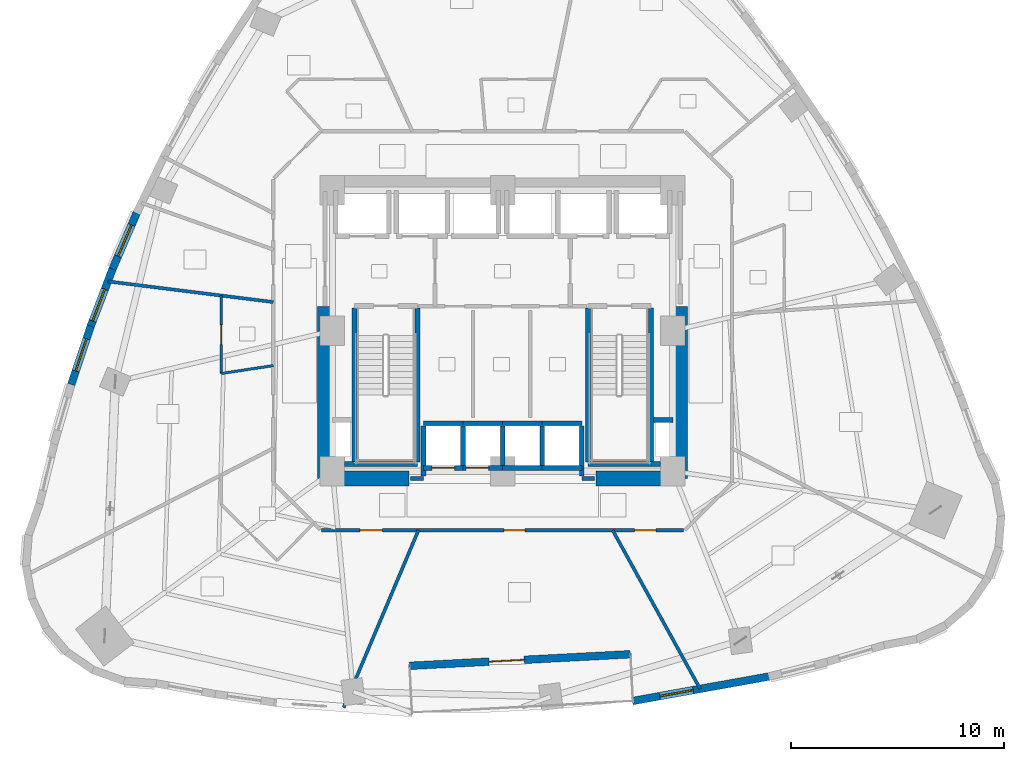
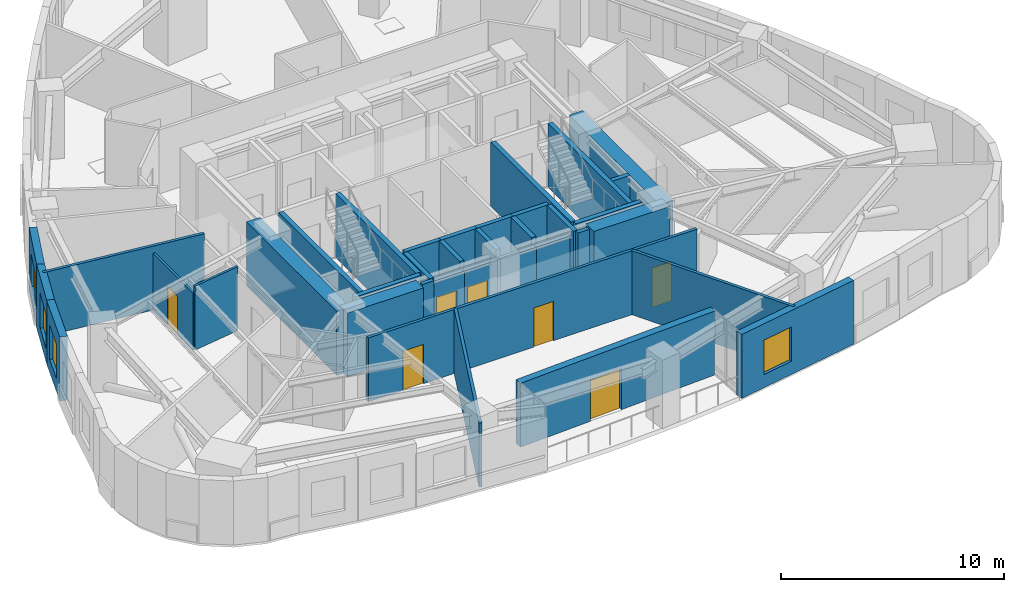
# One storey, part 5 of 11: 37 walls, 7 doors, 4 windows, 11 openings.
"""IFC4 building model written with IfcOpenShell, lengths in metres."""

from ifc_helpers import new_model, si_unit, direction, frame, frame_2d, origin, place, context, subcontext, project, spatial, rectangle, extrude, material, layer, layer_set, type_object, element, fill, save


model = new_model("IFC4")

# Units and contexts
model_context = context("Model", 3, precision=1e-05, world=origin(), true_north=direction((0.0, 1.0)))
body_context = subcontext(model_context, "Body", "Model", "MODEL_VIEW")
ifc_project = project(units=[si_unit("LENGTHUNIT", "METRE"), si_unit("AREAUNIT", "SQUARE_METRE"), si_unit("VOLUMEUNIT", "CUBIC_METRE"), si_unit("PLANEANGLEUNIT", "RADIAN"), si_unit("MASSUNIT", "GRAM", prefix="KILO")], contexts=[model_context])

# Site, building, storey
site_placement = place(None, origin())
site = spatial("IfcSite", under=ifc_project, at=site_placement, CompositionType="ELEMENT")
building_placement = place(site_placement, origin())
building = spatial("IfcBuilding", under=site, at=building_placement, Name="Ndelora Gate Hotel", CompositionType="ELEMENT")
storey_placement = place(building_placement, frame((0.0, 0.0, 49.25)))
storey = spatial("IfcBuildingStorey", under=building, at=storey_placement, Name="L11", CompositionType="ELEMENT", Elevation=49.25)

# Wall, opening, door
ifc_material_1 = material(Name="Clay Brick Masonry", Category="masonry")
ifc_layer_1 = layer(ifc_material_1, 0.360107421875)
ifc_layer_set_1 = layer_set([ifc_layer_1], Name="Clay Brick Masonry")
wall_type_1 = type_object("IfcWallType", Name="WL-BRICK-360", PredefinedType="SOLIDWALL", material=ifc_layer_set_1)
wall_1_placement = place(storey_placement, frame((6.004150390625, -15.20849609375, 0.0), z_axis=(0.0, 0.0, 1.0), x_axis=(-0.998630058509, -0.052325961458, 0.0)))
wall_1 = element("IfcWall", 1, at=wall_1_placement, inside=storey, type_object=wall_type_1, Name="L11 Sky-Garden Loggia Rear Brick Wall", PredefinedType="SOLIDWALL", context=body_context, shape_type="SweptSolid", body=[
    extrude(rectangle(XDim=10.39990234375, YDim=0.360107421875, at=frame_2d((5.199951171875, 0.0))), origin(), (0.0, 0.0, 1.0), 3.5),
])
opening_1_placement = place(wall_1_placement, frame((5.0, 0.0, 0.0)))
opening_1 = element("IfcOpeningElement", 2, at=opening_1_placement, cuts=wall_1, Name="Opening TD1", PredefinedType="OPENING", context=body_context, shape_type="SweptSolid", body=[
    extrude(rectangle(XDim=1.64990234375, YDim=2.25, at=frame_2d((0.824951171875, 1.125))), frame((0.0, 0.18994140625, 0.0), z_axis=(0.0, -1.0, 0.0), x_axis=(1.0, 0.0, 0.0)), (0.0, 0.0, 1.0), 0.380126953125),
])
ifc_material_2 = material(Name="Architectural Bronze Glazed Door", Category="metal")
door_type_1 = type_object("IfcDoorType", Name="DR-TER-1650", OperationType="DOUBLE_DOOR_SINGLE_SWING", PredefinedType="DOOR", material=ifc_material_2)
door_1_placement = place(opening_1_placement, origin())
door_1 = element("IfcDoor", 3, at=door_1_placement, inside=storey, type_object=door_type_1, Name="L11 Sky-Garden Terrace Double Door TD1", OperationType="DOUBLE_DOOR_SINGLE_SWING", OverallHeight=2.25, OverallWidth=1.64990234375, PredefinedType="DOOR", context=body_context, shape_type="SweptSolid", body=[
    extrude(rectangle(XDim=1.64990234375, YDim=2.25, at=frame_2d((0.824951171875, 1.125))), frame((0.0, 0.02490234375, 0.0), z_axis=(0.0, -1.0, 0.0), x_axis=(1.0, 0.0, 0.0)), (0.0, 0.0, 1.0), 0.050048828125),
])
fill(opening_1, door_1)

# Wall, opening, window
wall_2_placement = place(storey_placement, frame((-18.340576171875, 2.8994140625, 0.0), z_axis=(0.0, 0.0, 1.0), x_axis=(0.396050960204, 0.918228531969, 0.0)))
wall_2 = element("IfcWall", 4, at=wall_2_placement, inside=storey, type_object=wall_type_1, Name="L11 Tower Brick Pier-and-Spandrel Wall TWR-16", PredefinedType="SOLIDWALL", context=body_context, shape_type="SweptSolid", body=[
    extrude(rectangle(XDim=2.9150390625, YDim=0.360107421875, at=frame_2d((1.45751953125, 0.0))), origin(), (0.0, 0.0, 1.0), 3.5),
])
opening_2_placement = place(wall_2_placement, frame((0.657470703125, 0.0, 0.719970703125)))
opening_2 = element("IfcOpeningElement", 5, at=opening_2_placement, cuts=wall_2, Name="Opening W01", PredefinedType="OPENING", context=body_context, shape_type="SweptSolid", body=[
    extrude(rectangle(XDim=1.60009765625, YDim=1.8798828125, at=frame_2d((0.800048828125, 0.93994140625))), frame((0.0, 0.18994140625, 0.0), z_axis=(0.0, -1.0, 0.0), x_axis=(1.0, 0.0, 0.0)), (0.0, 0.0, 1.0), 0.380126953125),
])
ifc_material_3 = material(Name="Insulated Low-E Double Glazing in Bronze Aluminium Frame", Category="aluminium")
window_type_1 = type_object("IfcWindowType", Name="WN-DEEP-1600", PartitioningType="SINGLE_PANEL", PredefinedType="WINDOW", material=ifc_material_3)
window_1_placement = place(opening_2_placement, origin())
window_1 = element("IfcWindow", 6, at=window_1_placement, inside=storey, type_object=window_type_1, Name="L11 Deep-Set Brick-Pier Window W01", OverallHeight=1.8798828125, OverallWidth=1.60009765625, PartitioningType="SINGLE_PANEL", PredefinedType="WINDOW", context=body_context, shape_type="SweptSolid", body=[
    extrude(rectangle(XDim=1.60009765625, YDim=1.8798828125, at=frame_2d((0.800048828125, 0.93994140625))), frame((0.0, 0.030029296875, 0.0), z_axis=(0.0, -1.0, 0.0), x_axis=(1.0, 0.0, 0.0)), (0.0, 0.0, 1.0), 0.06005859375),
])
fill(opening_2, window_1)

wall_3_placement = place(storey_placement, frame((-19.365234375, 0.212890625, 0.0), z_axis=(0.0, 0.0, 1.0), x_axis=(0.356696268282, 0.934220408787, 0.0)))
wall_3 = element("IfcWall", 7, at=wall_3_placement, inside=storey, type_object=wall_type_1, Name="L11 Tower Brick Pier-and-Spandrel Wall TWR-17", PredefinedType="SOLIDWALL", context=body_context, shape_type="SweptSolid", body=[
    extrude(rectangle(XDim=2.92529296875, YDim=0.360107421875, at=frame_2d((1.462646484375, 0.0))), origin(), (0.0, 0.0, 1.0), 3.5),
])
opening_3_placement = place(wall_3_placement, frame((0.260009765625, 0.0, 0.719970703125)))
opening_3 = element("IfcOpeningElement", 8, at=opening_3_placement, cuts=wall_3, Name="Opening W03", PredefinedType="OPENING", context=body_context, shape_type="SweptSolid", body=[
    extrude(rectangle(XDim=1.60009765625, YDim=1.8798828125, at=frame_2d((0.800048828125, 0.93994140625))), frame((0.0, 0.18994140625, 0.0), z_axis=(0.0, -1.0, 0.0), x_axis=(1.0, 0.0, 0.0)), (0.0, 0.0, 1.0), 0.380126953125),
])
window_type_2 = type_object("IfcWindowType", Name="WN-CORN-2100", PartitioningType="SINGLE_PANEL", PredefinedType="WINDOW", material=ifc_material_3)
window_2_placement = place(opening_3_placement, origin())
window_2 = element("IfcWindow", 9, at=window_2_placement, inside=storey, type_object=window_type_2, Name="L11 Deep-Set Brick-Pier Window W03", OverallHeight=1.8798828125, OverallWidth=1.60009765625, PartitioningType="SINGLE_PANEL", PredefinedType="WINDOW", context=body_context, shape_type="SweptSolid", body=[
    extrude(rectangle(XDim=1.60009765625, YDim=1.8798828125, at=frame_2d((0.800048828125, 0.93994140625))), frame((0.0, 0.030029296875, 0.0), z_axis=(0.0, -1.0, 0.0), x_axis=(1.0, 0.0, 0.0)), (0.0, 0.0, 1.0), 0.06005859375),
])
fill(opening_3, window_2)

wall_4_placement = place(storey_placement, frame((-20.281005859375, -2.529052734375, 0.0), z_axis=(0.0, 0.0, 1.0), x_axis=(0.317124206319, 0.948384013871, 0.0)))
wall_4 = element("IfcWall", 10, at=wall_4_placement, inside=storey, type_object=wall_type_1, Name="L11 Tower Brick Pier-and-Spandrel Wall TWR-18", PredefinedType="SOLIDWALL", context=body_context, shape_type="SweptSolid", body=[
    extrude(rectangle(XDim=2.94091796875, YDim=0.360107421875, at=frame_2d((1.470458984375, 0.0))), origin(), (0.0, 0.0, 1.0), 3.5),
])
opening_4_placement = place(wall_4_placement, frame((0.67041015625, 0.0, 0.719970703125)))
opening_4 = element("IfcOpeningElement", 11, at=opening_4_placement, cuts=wall_4, Name="Opening W01", PredefinedType="OPENING", context=body_context, shape_type="SweptSolid", body=[
    extrude(rectangle(XDim=1.60009765625, YDim=1.8798828125, at=frame_2d((0.800048828125, 0.93994140625))), frame((0.0, 0.18994140625, 0.0), z_axis=(0.0, -1.0, 0.0), x_axis=(1.0, 0.0, 0.0)), (0.0, 0.0, 1.0), 0.380126953125),
])
window_3_placement = place(opening_4_placement, origin())
window_3 = element("IfcWindow", 12, at=window_3_placement, inside=storey, type_object=window_type_1, Name="L11 Deep-Set Brick-Pier Window W01", OverallHeight=1.8798828125, OverallWidth=1.60009765625, PartitioningType="SINGLE_PANEL", PredefinedType="WINDOW", context=body_context, shape_type="SweptSolid", body=[
    extrude(rectangle(XDim=1.60009765625, YDim=1.8798828125, at=frame_2d((0.800048828125, 0.93994140625))), frame((0.0, 0.030029296875, 0.0), z_axis=(0.0, -1.0, 0.0), x_axis=(1.0, 0.0, 0.0)), (0.0, 0.0, 1.0), 0.06005859375),
])
fill(opening_4, window_3)

wall_5_placement = place(storey_placement, frame((12.55712890625, -16.24853515625, 0.0), z_axis=(0.0, 0.0, 1.0), x_axis=(-0.984232555833, -0.176879269667, 0.0)))
wall_5 = element("IfcWall", 13, at=wall_5_placement, inside=storey, type_object=wall_type_1, Name="L11 Tower Brick Pier-and-Spandrel Wall TWR-36", PredefinedType="SOLIDWALL", context=body_context, shape_type="SweptSolid", body=[
    extrude(rectangle(XDim=6.56591796875, YDim=0.360107421875, at=frame_2d((3.282958984375, 0.0))), origin(), (0.0, 0.0, 1.0), 3.5),
])
opening_5_placement = place(wall_5_placement, frame((3.659912109375, 0.0, 0.719970703125)))
opening_5 = element("IfcOpeningElement", 14, at=opening_5_placement, cuts=wall_5, Name="Opening W01", PredefinedType="OPENING", context=body_context, shape_type="SweptSolid", body=[
    extrude(rectangle(XDim=1.60009765625, YDim=1.8798828125, at=frame_2d((0.800048828125, 0.93994140625))), frame((0.0, 0.18994140625, 0.0), z_axis=(0.0, -1.0, 0.0), x_axis=(1.0, 0.0, 0.0)), (0.0, 0.0, 1.0), 0.380126953125),
])
window_4_placement = place(opening_5_placement, origin())
window_4 = element("IfcWindow", 15, at=window_4_placement, inside=storey, type_object=window_type_1, Name="L11 Deep-Set Brick-Pier Window W01", OverallHeight=1.8798828125, OverallWidth=1.60009765625, PartitioningType="SINGLE_PANEL", PredefinedType="WINDOW", context=body_context, shape_type="SweptSolid", body=[
    extrude(rectangle(XDim=1.60009765625, YDim=1.8798828125, at=frame_2d((0.800048828125, 0.93994140625))), frame((0.0, 0.030029296875, 0.0), z_axis=(0.0, -1.0, 0.0), x_axis=(1.0, 0.0, 0.0)), (0.0, 0.0, 1.0), 0.06005859375),
])
fill(opening_5, window_4)

# Walls
ifc_material_4 = material(Name="Concrete C60/75", Category="concrete")
ifc_layer_2 = layer(ifc_material_4, 0.699951171875)
ifc_layer_set_2 = layer_set([ifc_layer_2], Name="Concrete C60/75")
wall_type_2 = type_object("IfcWallType", Name="WL-CORE-700", PredefinedType="SHEAR", material=ifc_layer_set_2)
for number, where, z_axis, x_axis, name in (
    (16, (-8.35009765625, -6.949951171875, 0.0), (0.0, 0.0, 1.0), (1.0, 0.0, 0.0), "L11 Core Shear Wall S-W"),
    (17, (4.39990234375, -6.949951171875, 0.0), (0.0, 0.0, 1.0), (1.0, 0.0, 0.0), "L11 Core Shear Wall S-E"),
):
    element("IfcWall", number, at=place(storey_placement, frame(where, z_axis=z_axis, x_axis=x_axis)), inside=storey, type_object=wall_type_2, Name=name, PredefinedType="SHEAR", context=body_context, shape_type="SweptSolid", body=[
        extrude(rectangle(XDim=3.9501953125, YDim=0.699951171875, at=frame_2d((1.97509765625, 0.0))), origin(), (0.0, 0.0, 1.0), 3.5),
    ])
for number, where, z_axis, x_axis, name in (
    (18, (-8.35009765625, -6.949951171875, 0.0), (0.0, 0.0, 1.0), (0.0, 1.0, 0.0), "L11 Core Shear Wall W"),
    (19, (8.35009765625, -6.949951171875, 0.0), (0.0, 0.0, 1.0), (0.0, 1.0, 0.0), "L11 Core Shear Wall E"),
):
    element("IfcWall", number, at=place(storey_placement, frame(where, z_axis=z_axis, x_axis=x_axis)), inside=storey, type_object=wall_type_2, Name=name, PredefinedType="SHEAR", context=body_context, shape_type="SweptSolid", body=[
        extrude(rectangle(XDim=8.099853515625, YDim=0.699951171875, at=frame_2d((4.0498046875, 0.0))), origin(), (0.0, 0.0, 1.0), 3.5),
    ])
ifc_material_5 = material(Name="Concrete C40/50", Category="concrete")
ifc_layer_3 = layer(ifc_material_5, 0.199951171875)
ifc_layer_set_3 = layer_set([ifc_layer_3], Name="Concrete C40/50")
wall_type_3 = type_object("IfcWallType", Name="WL-FIRE-200", PredefinedType="PARTITIONING", material=ifc_layer_set_3)
for number, where, z_axis, x_axis, name in (
    (20, (-4.320068359375, -6.949951171875, 0.0), (0.0, 0.0, 1.0), (1.0, 0.0, 0.0), "L11 Interior Wall IW-2"),
    (21, (3.719970703125, -6.949951171875, 0.0), (0.0, 0.0, 1.0), (1.0, 0.0, 0.0), "L11 Interior Wall IW-2"),
):
    element("IfcWall", number, at=place(storey_placement, frame(where, z_axis=z_axis, x_axis=x_axis)), inside=storey, type_object=wall_type_3, Name=name, PredefinedType="PARTITIONING", context=body_context, shape_type="SweptSolid", body=[
        extrude(rectangle(XDim=0.60009765625, YDim=0.199951171875, at=frame_2d((0.300048828125, 0.0))), origin(), (0.0, 0.0, 1.0), 3.5),
    ])

# Wall, openings, doors
ifc_material_6 = material(Name="Fire-Rated Gypsum Stud Partition", Category="gypsum")
ifc_layer_4 = layer(ifc_material_6, 0.14990234375)
ifc_layer_set_4 = layer_set([ifc_layer_4], Name="Fire-Rated Gypsum Stud Partition")
wall_type_4 = type_object("IfcWallType", Name="WL-PART-150", PredefinedType="PARTITIONING", material=ifc_layer_set_4)
wall_6_placement = place(storey_placement, frame((8.510009765625, -9.3798828125, 0.0), z_axis=(0.0, 0.0, 1.0), x_axis=(-1.0, 0.0, 0.0)))
wall_6 = element("IfcWall", 22, at=wall_6_placement, inside=storey, type_object=wall_type_4, Name="L11 Interior Wall IW-5", PredefinedType="PARTITIONING", context=body_context, shape_type="SweptSolid", body=[
    extrude(rectangle(XDim=17.02001953125, YDim=0.14990234375, at=frame_2d((8.510009765625, 0.0))), origin(), (0.0, 0.0, 1.0), 3.5),
])
opening_6_placement = place(wall_6_placement, frame((7.44775390625, 0.0, 0.0)))
opening_6 = element("IfcOpeningElement", 23, at=opening_6_placement, cuts=wall_6, Name="Opening D01", PredefinedType="OPENING", context=body_context, shape_type="SweptSolid", body=[
    extrude(rectangle(XDim=1.0, YDim=2.14990234375, at=frame_2d((0.5, 1.074951171875))), frame((0.0, 0.0849609375, 0.0), z_axis=(0.0, -1.0, 0.0), x_axis=(1.0, 0.0, 0.0)), (0.0, 0.0, 1.0), 0.169921875),
])
opening_7_placement = place(wall_6_placement, frame((1.30859375, 0.0, 0.0)))
opening_7 = element("IfcOpeningElement", 24, at=opening_7_placement, cuts=wall_6, Name="Opening D01", PredefinedType="OPENING", context=body_context, shape_type="SweptSolid", body=[
    extrude(rectangle(XDim=1.0, YDim=2.14990234375, at=frame_2d((0.5, 1.074951171875))), frame((0.0, 0.0849609375, 0.0), z_axis=(0.0, -1.0, 0.0), x_axis=(1.0, 0.0, 0.0)), (0.0, 0.0, 1.0), 0.169921875),
])
opening_8_placement = place(wall_6_placement, frame((14.163818359375, 0.0, 0.0)))
opening_8 = element("IfcOpeningElement", 25, at=opening_8_placement, cuts=wall_6, Name="Opening D07", PredefinedType="OPENING", context=body_context, shape_type="SweptSolid", body=[
    extrude(rectangle(XDim=1.06005859375, YDim=2.14990234375, at=frame_2d((0.530029296875, 1.074951171875))), frame((0.0, 0.0849609375, 0.0), z_axis=(0.0, -1.0, 0.0), x_axis=(1.0, 0.0, 0.0)), (0.0, 0.0, 1.0), 0.169921875),
])
ifc_material_7 = material(Name="Acoustic Hardwood Guest Entrance Door", Category="wood")
door_type_2 = type_object("IfcDoorType", Name="DR-COR-1000", OperationType="SINGLE_SWING_LEFT", PredefinedType="DOOR", material=ifc_material_7)
door_2_placement = place(opening_6_placement, origin())
door_2 = element("IfcDoor", 26, at=door_2_placement, inside=storey, type_object=door_type_2, Name="L11 Sky Garden Tea Dining Room Entrance Door", OperationType="SINGLE_SWING_LEFT", OverallHeight=2.14990234375, OverallWidth=1.0, PredefinedType="DOOR", context=body_context, shape_type="SweptSolid", body=[
    extrude(rectangle(XDim=1.0, YDim=2.14990234375, at=frame_2d((0.5, 1.074951171875))), frame((0.0, 0.02490234375, 0.0), z_axis=(0.0, -1.0, 0.0), x_axis=(1.0, 0.0, 0.0)), (0.0, 0.0, 1.0), 0.050048828125),
])
fill(opening_6, door_2)
door_3_placement = place(opening_7_placement, origin())
door_3 = element("IfcDoor", 27, at=door_3_placement, inside=storey, type_object=door_type_2, Name="L11 Business Study Office Entrance Door", OperationType="SINGLE_SWING_LEFT", OverallHeight=2.14990234375, OverallWidth=1.0, PredefinedType="DOOR", context=body_context, shape_type="SweptSolid", body=[
    extrude(rectangle(XDim=1.0, YDim=2.14990234375, at=frame_2d((0.5, 1.074951171875))), frame((0.0, 0.02490234375, 0.0), z_axis=(0.0, -1.0, 0.0), x_axis=(1.0, 0.0, 0.0)), (0.0, 0.0, 1.0), 0.050048828125),
])
fill(opening_7, door_3)
ifc_material_8 = material(Name="Diplomatic Suite Acoustic Entrance Door", Category="wood")
door_type_3 = type_object("IfcDoorType", Name="DR-SUITE-1060", OperationType="SINGLE_SWING_LEFT", PredefinedType="DOOR", material=ifc_material_8)
door_4_placement = place(opening_8_placement, origin())
door_4 = element("IfcDoor", 28, at=door_4_placement, inside=storey, type_object=door_type_3, Name="L11 Corner Diplomatic Suite 1402 Entrance Door", OperationType="SINGLE_SWING_LEFT", OverallHeight=2.14990234375, OverallWidth=1.06005859375, PredefinedType="DOOR", context=body_context, shape_type="SweptSolid", body=[
    extrude(rectangle(XDim=1.06005859375, YDim=2.14990234375, at=frame_2d((0.530029296875, 1.074951171875))), frame((0.0, 0.02490234375, 0.0), z_axis=(0.0, -1.0, 0.0), x_axis=(1.0, 0.0, 0.0)), (0.0, 0.0, 1.0), 0.050048828125),
])
fill(opening_8, door_4)

# Walls
wall_7_placement = place(storey_placement, frame((-10.780029296875, 1.347412109375, 0.0), z_axis=(0.0, 0.0, 1.0), x_axis=(-0.992276439596, 0.124046230988, 0.0)))
element("IfcWall", 29, at=wall_7_placement, inside=storey, type_object=wall_type_4, Name="L11 Interior Wall IW-5", PredefinedType="PARTITIONING", context=body_context, shape_type="SweptSolid", body=[
    extrude(rectangle(XDim=7.841064453125, YDim=0.14990234375, at=frame_2d((3.92041015625, 0.0))), origin(), (0.0, 0.0, 1.0), 3.5),
])
wall_8_placement = place(storey_placement, frame((-3.95751953125, -9.3798828125, 0.0), z_axis=(0.0, 0.0, 1.0), x_axis=(-0.388727710855, -0.921352683185, 0.0)))
element("IfcWall", 30, at=wall_8_placement, inside=storey, type_object=wall_type_4, Name="L11 Interior Wall IW-5", PredefinedType="PARTITIONING", context=body_context, shape_type="SweptSolid", body=[
    extrude(rectangle(XDim=9.04638671875, YDim=0.14990234375, at=frame_2d((4.523193359375, 0.0))), origin(), (0.0, 0.0, 1.0), 3.5),
])
wall_9_placement = place(storey_placement, frame((5.172607421875, -9.3798828125, 0.0), z_axis=(0.0, 0.0, 1.0), x_axis=(0.482894673272, -0.875678442424, 0.0)))
element("IfcWall", 31, at=wall_9_placement, inside=storey, type_object=wall_type_4, Name="L11 Interior Wall IW-5", PredefinedType="PARTITIONING", context=body_context, shape_type="SweptSolid", body=[
    extrude(rectangle(XDim=8.515380859375, YDim=0.14990234375, at=frame_2d((4.2578125, 0.0))), origin(), (0.0, 0.0, 1.0), 3.5),
])
ifc_layer_5 = layer(ifc_material_5, 0.219970703125)
ifc_layer_set_5 = layer_set([ifc_layer_5], Name="Concrete C40/50")
wall_type_5 = type_object("IfcWallType", Name="WL-SHAFT-220", PredefinedType="PARTITIONING", material=ifc_layer_set_5)
wall_10_placement = place(storey_placement, frame((7.090087890625, -4.199951171875, 0.0), z_axis=(0.0, 0.0, 1.0), x_axis=(1.0, 0.0, 0.0)))
element("IfcWall", 32, at=wall_10_placement, inside=storey, type_object=wall_type_5, Name="L11 Interior Wall IW-1", PredefinedType="PARTITIONING", context=body_context, shape_type="SweptSolid", body=[
    extrude(rectangle(XDim=0.909912109375, YDim=0.219970703125, at=frame_2d((0.455078125, 0.0))), origin(), (0.0, 0.0, 1.0), 3.5),
])

# Wall, opening, door
wall_11_placement = place(storey_placement, frame((-3.719970703125, -6.449951171875, 0.0), z_axis=(0.0, 0.0, 1.0), x_axis=(1.0, 0.0, 0.0)))
wall_11 = element("IfcWall", 33, at=wall_11_placement, inside=storey, type_object=wall_type_5, Name="L11 Interior Wall IW-1", PredefinedType="PARTITIONING", context=body_context, shape_type="SweptSolid", body=[
    extrude(rectangle(XDim=1.85986328125, YDim=0.219970703125, at=frame_2d((0.929931640625, 0.0))), origin(), (0.0, 0.0, 1.0), 3.080078125),
])
opening_9_placement = place(wall_11_placement, frame((0.39990234375, 0.0, 0.0)))
opening_9 = element("IfcOpeningElement", 34, at=opening_9_placement, cuts=wall_11, Name="Opening LD1", PredefinedType="OPENING", context=body_context, shape_type="SweptSolid", body=[
    extrude(rectangle(XDim=1.06005859375, YDim=2.14990234375, at=frame_2d((0.530029296875, 1.074951171875))), frame((0.0, 0.1201171875, 0.0), z_axis=(0.0, -1.0, 0.0), x_axis=(1.0, 0.0, 0.0)), (0.0, 0.0, 1.0), 0.239990234375),
])
ifc_material_9 = material(Name="Brushed Bronze Stainless Lift Landing Door", Category="metal")
door_type_4 = type_object("IfcDoorType", Name="DR-LD1", OperationType="DOUBLE_DOOR_SLIDING", PredefinedType="DOOR", material=ifc_material_9)
door_5_placement = place(opening_9_placement, origin())
door_5 = element("IfcDoor", 35, at=door_5_placement, inside=storey, type_object=door_type_4, Name="L11 Lift Landing Sliding Door P1A", OperationType="DOUBLE_DOOR_SLIDING", OverallHeight=2.14990234375, OverallWidth=1.06005859375, PredefinedType="DOOR", context=body_context, shape_type="SweptSolid", body=[
    extrude(rectangle(XDim=1.06005859375, YDim=2.14990234375, at=frame_2d((0.530029296875, 1.074951171875))), frame((0.0, 0.02490234375, 0.0), z_axis=(0.0, -1.0, 0.0), x_axis=(1.0, 0.0, 0.0)), (0.0, 0.0, 1.0), 0.050048828125),
])
fill(opening_9, door_5)

# Walls
wall_12_placement = place(storey_placement, frame((-3.719970703125, -4.35009765625, 0.0), z_axis=(0.0, 0.0, 1.0), x_axis=(1.0, 0.0, 0.0)))
element("IfcWall", 36, at=wall_12_placement, inside=storey, type_object=wall_type_5, Name="L11 Interior Wall IW-1", PredefinedType="PARTITIONING", context=body_context, shape_type="SweptSolid", body=[
    extrude(rectangle(XDim=1.85986328125, YDim=0.219970703125, at=frame_2d((0.929931640625, 0.0))), origin(), (0.0, 0.0, 1.0), 3.5),
])
wall_13_placement = place(storey_placement, frame((-3.719970703125, -6.830078125, 0.0), z_axis=(0.0, 0.0, 1.0), x_axis=(0.0, 1.0, 0.0)))
element("IfcWall", 37, at=wall_13_placement, inside=storey, type_object=wall_type_5, Name="L11 Interior Wall IW-1", PredefinedType="PARTITIONING", context=body_context, shape_type="SweptSolid", body=[
    extrude(rectangle(XDim=2.360107421875, YDim=0.219970703125, at=frame_2d((1.18017578125, 0.0))), origin(), (0.0, 0.0, 1.0), 3.5),
])
wall_14_placement = place(storey_placement, frame((-1.860107421875, -6.330078125, 0.0), z_axis=(0.0, 0.0, 1.0), x_axis=(0.0, 1.0, 0.0)))
element("IfcWall", 38, at=wall_14_placement, inside=storey, type_object=wall_type_5, Name="L11 Interior Wall IW-1", PredefinedType="PARTITIONING", context=body_context, shape_type="SweptSolid", body=[
    extrude(rectangle(XDim=1.860107421875, YDim=0.219970703125, at=frame_2d((0.93017578125, 0.0))), origin(), (0.0, 0.0, 1.0), 3.5),
])

# Wall, opening, door
wall_15_placement = place(storey_placement, frame((-1.860107421875, -6.449951171875, 0.0), z_axis=(0.0, 0.0, 1.0), x_axis=(1.0, 0.0, 0.0)))
wall_15 = element("IfcWall", 39, at=wall_15_placement, inside=storey, type_object=wall_type_5, Name="L11 Interior Wall IW-1", PredefinedType="PARTITIONING", context=body_context, shape_type="SweptSolid", body=[
    extrude(rectangle(XDim=1.860107421875, YDim=0.219970703125, at=frame_2d((0.93017578125, 0.0))), origin(), (0.0, 0.0, 1.0), 3.080078125),
])
opening_10_placement = place(wall_15_placement, frame((0.139892578125, 0.0, 0.0)))
opening_10 = element("IfcOpeningElement", 40, at=opening_10_placement, cuts=wall_15, Name="Opening LD1", PredefinedType="OPENING", context=body_context, shape_type="SweptSolid", body=[
    extrude(rectangle(XDim=1.06005859375, YDim=2.14990234375, at=frame_2d((0.530029296875, 1.074951171875))), frame((0.0, 0.1201171875, 0.0), z_axis=(0.0, -1.0, 0.0), x_axis=(1.0, 0.0, 0.0)), (0.0, 0.0, 1.0), 0.239990234375),
])
door_6_placement = place(opening_10_placement, origin())
door_6 = element("IfcDoor", 41, at=door_6_placement, inside=storey, type_object=door_type_4, Name="L11 Lift Landing Sliding Door P1B", OperationType="DOUBLE_DOOR_SLIDING", OverallHeight=2.14990234375, OverallWidth=1.06005859375, PredefinedType="DOOR", context=body_context, shape_type="SweptSolid", body=[
    extrude(rectangle(XDim=1.06005859375, YDim=2.14990234375, at=frame_2d((0.530029296875, 1.074951171875))), frame((0.0, 0.02490234375, 0.0), z_axis=(0.0, -1.0, 0.0), x_axis=(1.0, 0.0, 0.0)), (0.0, 0.0, 1.0), 0.050048828125),
])
fill(opening_10, door_6)

# Walls
for number, where, z_axis, x_axis, name in (
    (42, (-1.860107421875, -4.35009765625, 0.0), (0.0, 0.0, 1.0), (1.0, 0.0, 0.0), "L11 Interior Wall IW-1"),
    (43, (0.0, -6.330078125, 0.0), (0.0, 0.0, 1.0), (0.0, 1.0, 0.0), "L11 Interior Wall IW-1"),
):
    element("IfcWall", number, at=place(storey_placement, frame(where, z_axis=z_axis, x_axis=x_axis)), inside=storey, type_object=wall_type_5, Name=name, PredefinedType="PARTITIONING", context=body_context, shape_type="SweptSolid", body=[
        extrude(rectangle(XDim=1.860107421875, YDim=0.219970703125, at=frame_2d((0.93017578125, 0.0))), origin(), (0.0, 0.0, 1.0), 3.5),
    ])
wall_16_placement = place(storey_placement, frame((0.0, -6.449951171875, 0.0), z_axis=(0.0, 0.0, 1.0), x_axis=(1.0, 0.0, 0.0)))
element("IfcWall", 44, at=wall_16_placement, inside=storey, type_object=wall_type_5, Name="L11 Interior Wall IW-1", PredefinedType="PARTITIONING", context=body_context, shape_type="SweptSolid", body=[
    extrude(rectangle(XDim=1.860107421875, YDim=0.219970703125, at=frame_2d((0.93017578125, 0.0))), origin(), (0.0, 0.0, 1.0), 3.080078125),
])
for number, where, z_axis, x_axis, name in (
    (45, (0.0, -4.35009765625, 0.0), (0.0, 0.0, 1.0), (1.0, 0.0, 0.0), "L11 Interior Wall IW-1"),
    (46, (1.860107421875, -6.330078125, 0.0), (0.0, 0.0, 1.0), (0.0, 1.0, 0.0), "L11 Interior Wall IW-1"),
):
    element("IfcWall", number, at=place(storey_placement, frame(where, z_axis=z_axis, x_axis=x_axis)), inside=storey, type_object=wall_type_5, Name=name, PredefinedType="PARTITIONING", context=body_context, shape_type="SweptSolid", body=[
        extrude(rectangle(XDim=1.860107421875, YDim=0.219970703125, at=frame_2d((0.93017578125, 0.0))), origin(), (0.0, 0.0, 1.0), 3.5),
    ])
wall_17_placement = place(storey_placement, frame((1.860107421875, -6.449951171875, 0.0), z_axis=(0.0, 0.0, 1.0), x_axis=(1.0, 0.0, 0.0)))
element("IfcWall", 47, at=wall_17_placement, inside=storey, type_object=wall_type_5, Name="L11 Interior Wall IW-1", PredefinedType="PARTITIONING", context=body_context, shape_type="SweptSolid", body=[
    extrude(rectangle(XDim=1.85986328125, YDim=0.219970703125, at=frame_2d((0.929931640625, 0.0))), origin(), (0.0, 0.0, 1.0), 3.080078125),
])
wall_18_placement = place(storey_placement, frame((1.860107421875, -4.35009765625, 0.0), z_axis=(0.0, 0.0, 1.0), x_axis=(1.0, 0.0, 0.0)))
element("IfcWall", 48, at=wall_18_placement, inside=storey, type_object=wall_type_5, Name="L11 Interior Wall IW-1", PredefinedType="PARTITIONING", context=body_context, shape_type="SweptSolid", body=[
    extrude(rectangle(XDim=1.85986328125, YDim=0.219970703125, at=frame_2d((0.929931640625, 0.0))), origin(), (0.0, 0.0, 1.0), 3.5),
])
wall_19_placement = place(storey_placement, frame((3.719970703125, -6.830078125, 0.0), z_axis=(0.0, 0.0, 1.0), x_axis=(0.0, 1.0, 0.0)))
element("IfcWall", 49, at=wall_19_placement, inside=storey, type_object=wall_type_5, Name="L11 Interior Wall IW-1", PredefinedType="PARTITIONING", context=body_context, shape_type="SweptSolid", body=[
    extrude(rectangle(XDim=2.360107421875, YDim=0.219970703125, at=frame_2d((1.18017578125, 0.0))), origin(), (0.0, 0.0, 1.0), 3.5),
])
ifc_material_10 = material(Name="Concrete C50/60", Category="concrete")
ifc_layer_6 = layer(ifc_material_10, 0.239990234375)
ifc_layer_set_6 = layer_set([ifc_layer_6], Name="Concrete C50/60")
wall_type_6 = type_object("IfcWallType", Name="WL-STAIR-240", PredefinedType="SHEAR", material=ifc_layer_set_6)
wall_20_placement = place(storey_placement, frame((-6.969970703125, -6.159912109375, 0.0), z_axis=(0.0, 0.0, 1.0), x_axis=(0.0, 1.0, 0.0)))
element("IfcWall", 50, at=wall_20_placement, inside=storey, type_object=wall_type_6, Name="L11 Stair Core Shear Wall SW-ST", PredefinedType="SHEAR", context=body_context, shape_type="SweptSolid", body=[
    extrude(rectangle(XDim=7.219970703125, YDim=0.239990234375, at=frame_2d((3.60986328125, 0.0))), origin(), (0.0, 0.0, 1.0), 3.5),
])
wall_21_placement = place(storey_placement, frame((-7.425048828125, -6.27001953125, 0.0), z_axis=(0.0, 0.0, 1.0), x_axis=(1.0, 0.0, 0.0)))
element("IfcWall", 51, at=wall_21_placement, inside=storey, type_object=wall_type_6, Name="L11 Stair Core Shear Wall SW-ST", PredefinedType="SHEAR", context=body_context, shape_type="SweptSolid", body=[
    extrude(rectangle(XDim=3.4150390625, YDim=0.239990234375, at=frame_2d((1.70751953125, 0.0))), origin(), (0.0, 0.0, 1.0), 3.5),
])
for number, where, z_axis, x_axis, name in (
    (52, (-4.010009765625, -6.159912109375, 0.0), (0.0, 0.0, 1.0), (0.0, 1.0, 0.0), "L11 Stair Core Shear Wall SW-ST"),
    (53, (4.010009765625, -6.159912109375, 0.0), (0.0, 0.0, 1.0), (0.0, 1.0, 0.0), "L11 Stair Core Shear Wall SW-ST"),
    (54, (6.969970703125, -6.159912109375, 0.0), (0.0, 0.0, 1.0), (0.0, 1.0, 0.0), "L11 Stair Core Shear Wall SW-ST"),
):
    element("IfcWall", number, at=place(storey_placement, frame(where, z_axis=z_axis, x_axis=x_axis)), inside=storey, type_object=wall_type_6, Name=name, PredefinedType="SHEAR", context=body_context, shape_type="SweptSolid", body=[
        extrude(rectangle(XDim=7.219970703125, YDim=0.239990234375, at=frame_2d((3.60986328125, 0.0))), origin(), (0.0, 0.0, 1.0), 3.5),
    ])
wall_22_placement = place(storey_placement, frame((4.010009765625, -6.27001953125, 0.0), z_axis=(0.0, 0.0, 1.0), x_axis=(1.0, 0.0, 0.0)))
element("IfcWall", 55, at=wall_22_placement, inside=storey, type_object=wall_type_6, Name="L11 Stair Core Shear Wall SW-ST", PredefinedType="SHEAR", context=body_context, shape_type="SweptSolid", body=[
    extrude(rectangle(XDim=3.4150390625, YDim=0.239990234375, at=frame_2d((1.70751953125, 0.0))), origin(), (0.0, 0.0, 1.0), 3.5),
])
ifc_material_11 = material(Name="Moisture-Resistant Bathroom Tile Partition", Category="gypsum")
ifc_layer_7 = layer(ifc_material_11, 0.1201171875)
ifc_layer_set_7 = layer_set([ifc_layer_7], Name="Moisture-Resistant Bathroom Tile Partition")
wall_type_7 = type_object("IfcWallType", Name="WL-WET-120", PredefinedType="PARTITIONING", material=ifc_layer_set_7)
wall_23_placement = place(storey_placement, frame((-10.780029296875, -1.638671875, 0.0), z_axis=(0.0, 0.0, 1.0), x_axis=(-0.988634440282, -0.15033942759, 0.0)))
element("IfcWall", 56, at=wall_23_placement, inside=storey, type_object=wall_type_7, Name="L11 Interior Wall IW-7", PredefinedType="PARTITIONING", context=body_context, shape_type="SweptSolid", body=[
    extrude(rectangle(XDim=2.47802734375, YDim=0.1201171875, at=frame_2d((1.239013671875, 0.0))), origin(), (0.0, 0.0, 1.0), 3.5),
])

# Wall, opening, door
wall_24_placement = place(storey_placement, frame((-13.22998046875, -2.01123046875, 0.0), z_axis=(0.0, 0.0, 1.0), x_axis=(0.0, 1.0, 0.0)))
wall_24 = element("IfcWall", 57, at=wall_24_placement, inside=storey, type_object=wall_type_7, Name="L11 Interior Wall IW-7", PredefinedType="PARTITIONING", context=body_context, shape_type="SweptSolid", body=[
    extrude(rectangle(XDim=3.6650390625, YDim=0.1201171875, at=frame_2d((1.83251953125, 0.0))), origin(), (0.0, 0.0, 1.0), 3.1201171875),
])
opening_11_placement = place(wall_24_placement, frame((1.37255859375, 0.0, 0.0)))
opening_11 = element("IfcOpeningElement", 58, at=opening_11_placement, cuts=wall_24, Name="Opening D03", PredefinedType="OPENING", context=body_context, shape_type="SweptSolid", body=[
    extrude(rectangle(XDim=0.919921875, YDim=2.10009765625, at=frame_2d((0.4599609375, 1.050048828125))), frame((0.0, 0.070068359375, 0.0), z_axis=(0.0, -1.0, 0.0), x_axis=(1.0, 0.0, 0.0)), (0.0, 0.0, 1.0), 0.14013671875),
])
ifc_material_12 = material(Name="Moisture-Resistant Hardwood En-Suite Door", Category="wood")
door_type_5 = type_object("IfcDoorType", Name="DR-BATH-920", OperationType="SINGLE_SWING_LEFT", PredefinedType="DOOR", material=ifc_material_12)
door_7_placement = place(opening_11_placement, origin())
door_7 = element("IfcDoor", 59, at=door_7_placement, inside=storey, type_object=door_type_5, Name="L11 En-suite Bathroom 1401 Door", OperationType="SINGLE_SWING_RIGHT", OverallHeight=2.10009765625, OverallWidth=0.919921875, PredefinedType="DOOR", context=body_context, shape_type="SweptSolid", body=[
    extrude(rectangle(XDim=0.919921875, YDim=2.10009765625, at=frame_2d((0.4599609375, 1.050048828125))), frame((0.0, 0.02490234375, 0.0), z_axis=(0.0, -1.0, 0.0), x_axis=(1.0, 0.0, 0.0)), (0.0, 0.0, 1.0), 0.050048828125),
])
fill(opening_11, door_7)

save(model, "model.ifc")
